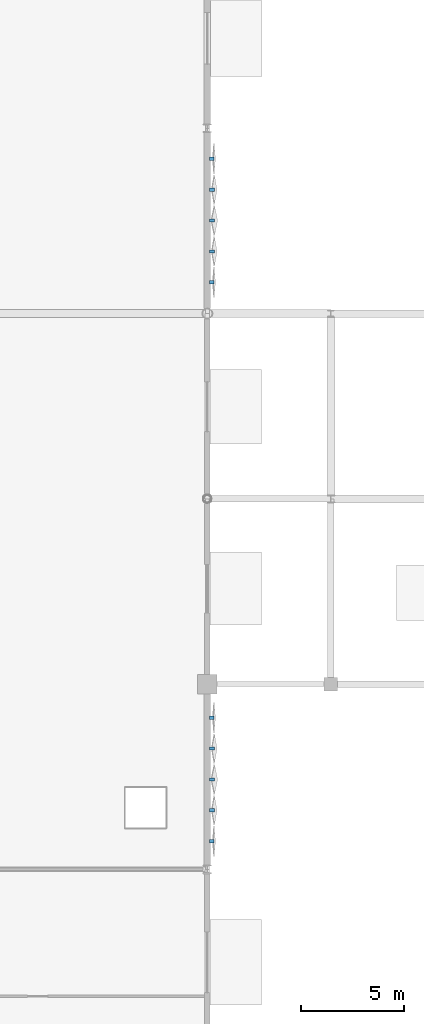
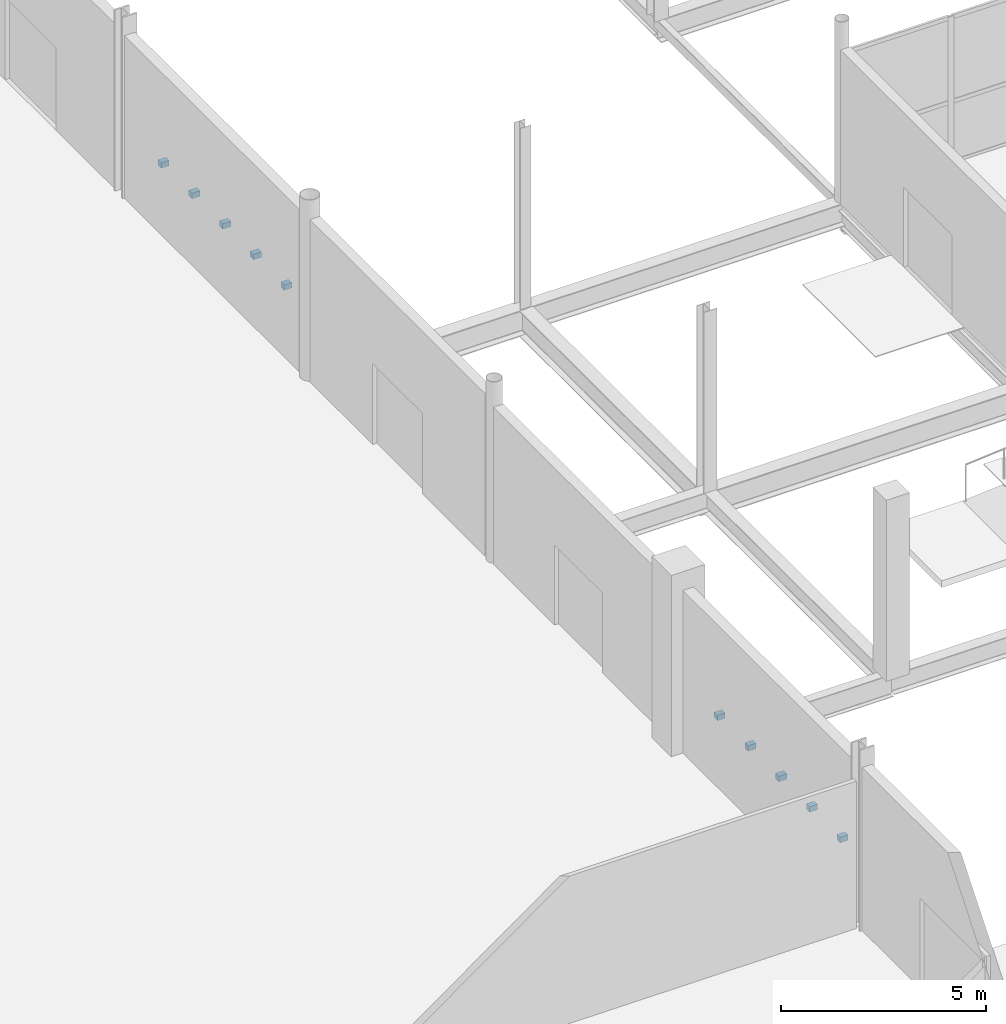
# One storey, part 70 of 94: 10 discrete accessories.
"""IFC4 building model written with IfcOpenShell, lengths in metres."""

from ifc_helpers import new_model, si_unit, direction, frame, origin, origin_2d, place, context, subcontext, project, spatial, rectangle, extrude, material, type_object, element, save


model = new_model("IFC4")

# Units and contexts
model_context = context("Model", 3, precision=1e-05, world=origin(), true_north=direction((0.0, 1.0)))
body_context = subcontext(model_context, "Body", "Model", "MODEL_VIEW")
ifc_project = project(units=[si_unit("LENGTHUNIT", "METRE"), si_unit("AREAUNIT", "SQUARE_METRE"), si_unit("VOLUMEUNIT", "CUBIC_METRE"), si_unit("PLANEANGLEUNIT", "RADIAN"), si_unit("MASSUNIT", "GRAM", prefix="KILO")], contexts=[model_context])

# Site, building, storey
site_placement = place(None, origin())
site = spatial("IfcSite", under=ifc_project, at=site_placement, CompositionType="ELEMENT")
building_placement = place(site_placement, origin())
building = spatial("IfcBuilding", under=site, at=building_placement, Name="Qamarlyn Nura Convention Centre", CompositionType="ELEMENT")
storey_placement = place(building_placement, origin())
storey = spatial("IfcBuildingStorey", under=building, at=storey_placement, Name="L00", CompositionType="ELEMENT", Elevation=0.0)

# Discrete accessories
ifc_material = material(Name="Marine Grade 316 stainless steel", Category="steel")
discrete_accessory_type = type_object("IfcDiscreteAccessoryType", Name="ACC-TILE-BRK", PredefinedType="BRACKET", material=ifc_material)
discrete_accessory_1_placement = place(storey_placement, frame((120.218994140625, 25.36865234375, 1.6201171875), z_axis=(0.0, 0.0, 1.0), x_axis=(1.0, 0.0, 0.0)))
element("IfcDiscreteAccessory", 1, at=discrete_accessory_1_placement, inside=storey, type_object=discrete_accessory_type, Name="L00 diamond tile pivot bracket 0022", PredefinedType="BRACKET", context=body_context, shape_type="SweptSolid", body=[
    extrude(rectangle(XDim=0.218017578125, YDim=0.159912109375, at=origin_2d()), origin(), (0.0, 0.0, 1.0), 0.159912109375),
])
discrete_accessory_2_placement = place(storey_placement, frame((120.224365234375, 23.86865234375, 1.6201171875), z_axis=(0.0, 0.0, 1.0), x_axis=(1.0, 0.0, 0.0)))
element("IfcDiscreteAccessory", 2, at=discrete_accessory_2_placement, inside=storey, type_object=discrete_accessory_type, Name="L00 diamond tile pivot bracket 0023", PredefinedType="BRACKET", context=body_context, shape_type="SweptSolid", body=[
    extrude(rectangle(XDim=0.228515625, YDim=0.159912109375, at=origin_2d()), origin(), (0.0, 0.0, 1.0), 0.159912109375),
])
discrete_accessory_3_placement = place(storey_placement, frame((120.2265625, 22.36865234375, 1.6201171875), z_axis=(0.0, 0.0, 1.0), x_axis=(1.0, 0.0, 0.0)))
element("IfcDiscreteAccessory", 3, at=discrete_accessory_3_placement, inside=storey, type_object=discrete_accessory_type, Name="L00 diamond tile pivot bracket 0024", PredefinedType="BRACKET", context=body_context, shape_type="SweptSolid", body=[
    extrude(rectangle(XDim=0.23291015625, YDim=0.159912109375, at=origin_2d()), origin(), (0.0, 0.0, 1.0), 0.159912109375),
])
discrete_accessory_4_placement = place(storey_placement, frame((120.224365234375, 20.86865234375, 1.6201171875), z_axis=(0.0, 0.0, 1.0), x_axis=(1.0, 0.0, 0.0)))
element("IfcDiscreteAccessory", 4, at=discrete_accessory_4_placement, inside=storey, type_object=discrete_accessory_type, Name="L00 diamond tile pivot bracket 0025", PredefinedType="BRACKET", context=body_context, shape_type="SweptSolid", body=[
    extrude(rectangle(XDim=0.228515625, YDim=0.159912109375, at=origin_2d()), origin(), (0.0, 0.0, 1.0), 0.159912109375),
])
for number, where, z_axis, x_axis, name in (
    (5, (120.218994140625, 19.36865234375, 1.6201171875), (0.0, 0.0, 1.0), (1.0, 0.0, 0.0), "L00 diamond tile pivot bracket 0026"),
    (6, (120.218994140625, 52.520751953125, 1.6201171875), (0.0, 0.0, 1.0), (1.0, 0.0, 0.0), "L00 diamond tile pivot bracket 0027"),
):
    element("IfcDiscreteAccessory", number, at=place(storey_placement, frame(where, z_axis=z_axis, x_axis=x_axis)), inside=storey, type_object=discrete_accessory_type, Name=name, PredefinedType="BRACKET", context=body_context, shape_type="SweptSolid", body=[
        extrude(rectangle(XDim=0.218017578125, YDim=0.159912109375, at=origin_2d()), origin(), (0.0, 0.0, 1.0), 0.159912109375),
    ])
discrete_accessory_5_placement = place(storey_placement, frame((120.224365234375, 51.020751953125, 1.6201171875), z_axis=(0.0, 0.0, 1.0), x_axis=(1.0, 0.0, 0.0)))
element("IfcDiscreteAccessory", 7, at=discrete_accessory_5_placement, inside=storey, type_object=discrete_accessory_type, Name="L00 diamond tile pivot bracket 0028", PredefinedType="BRACKET", context=body_context, shape_type="SweptSolid", body=[
    extrude(rectangle(XDim=0.228515625, YDim=0.159912109375, at=origin_2d()), origin(), (0.0, 0.0, 1.0), 0.159912109375),
])
discrete_accessory_6_placement = place(storey_placement, frame((120.2265625, 49.520751953125, 1.6201171875), z_axis=(0.0, 0.0, 1.0), x_axis=(1.0, 0.0, 0.0)))
element("IfcDiscreteAccessory", 8, at=discrete_accessory_6_placement, inside=storey, type_object=discrete_accessory_type, Name="L00 diamond tile pivot bracket 0029", PredefinedType="BRACKET", context=body_context, shape_type="SweptSolid", body=[
    extrude(rectangle(XDim=0.23291015625, YDim=0.159912109375, at=origin_2d()), origin(), (0.0, 0.0, 1.0), 0.159912109375),
])
discrete_accessory_7_placement = place(storey_placement, frame((120.224365234375, 48.020751953125, 1.6201171875), z_axis=(0.0, 0.0, 1.0), x_axis=(1.0, 0.0, 0.0)))
element("IfcDiscreteAccessory", 9, at=discrete_accessory_7_placement, inside=storey, type_object=discrete_accessory_type, Name="L00 diamond tile pivot bracket 0030", PredefinedType="BRACKET", context=body_context, shape_type="SweptSolid", body=[
    extrude(rectangle(XDim=0.228515625, YDim=0.159912109375, at=origin_2d()), origin(), (0.0, 0.0, 1.0), 0.159912109375),
])
discrete_accessory_8_placement = place(storey_placement, frame((120.218994140625, 46.520751953125, 1.6201171875), z_axis=(0.0, 0.0, 1.0), x_axis=(1.0, 0.0, 0.0)))
element("IfcDiscreteAccessory", 10, at=discrete_accessory_8_placement, inside=storey, type_object=discrete_accessory_type, Name="L00 diamond tile pivot bracket 0031", PredefinedType="BRACKET", context=body_context, shape_type="SweptSolid", body=[
    extrude(rectangle(XDim=0.218017578125, YDim=0.159912109375, at=origin_2d()), origin(), (0.0, 0.0, 1.0), 0.159912109375),
])

save(model, "model.ifc")
